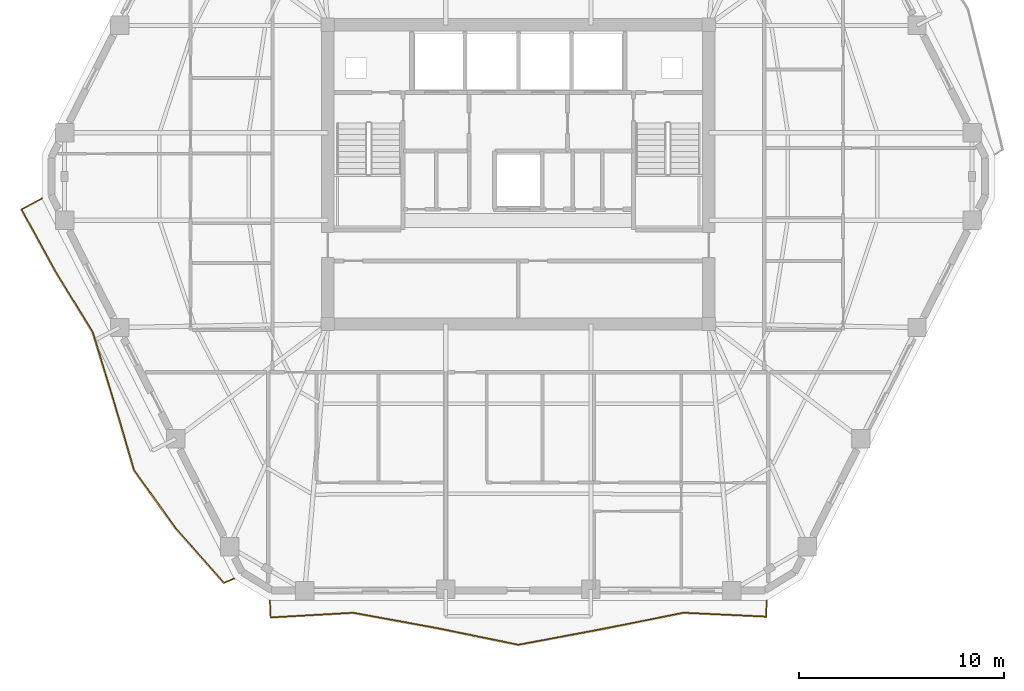
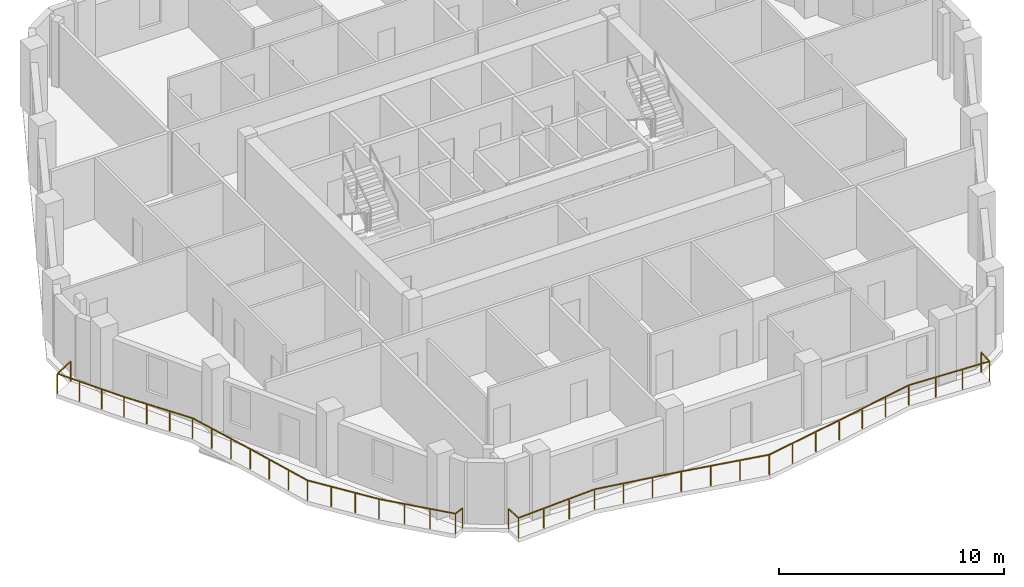
# One storey, part 9 of 11: 2 railings.
"""IFC4 building model written with IfcOpenShell, lengths in metres."""

from ifc_helpers import new_model, si_unit, direction, frame, origin, origin_2d, place, context, subcontext, project, spatial, rectangle, extrude, material, type_object, element, save


model = new_model("IFC4")

# Units and contexts
model_context = context("Model", 3, precision=1e-05, world=origin(), true_north=direction((0.0, 1.0)))
body_context = subcontext(model_context, "Body", "Model", "MODEL_VIEW")
ifc_project = project(units=[si_unit("LENGTHUNIT", "METRE"), si_unit("AREAUNIT", "SQUARE_METRE"), si_unit("VOLUMEUNIT", "CUBIC_METRE"), si_unit("PLANEANGLEUNIT", "RADIAN"), si_unit("MASSUNIT", "GRAM", prefix="KILO")], contexts=[model_context])

# Site, building, storey
site_placement = place(None, origin())
site = spatial("IfcSite", under=ifc_project, at=site_placement, CompositionType="ELEMENT")
building_placement = place(site_placement, origin())
building = spatial("IfcBuilding", under=site, at=building_placement, Name="Cinnabar Lancet Tower", CompositionType="ELEMENT")
storey_placement = place(building_placement, frame((0.0, 0.0, 179.0)))
storey = spatial("IfcBuildingStorey", under=building, at=storey_placement, Name="L47", CompositionType="ELEMENT", Elevation=179.0)

# Railings
ifc_material = material(Name="Laminated safety glass and bronze stainless steel balustrade", Category="steel")
railing_type = type_object("IfcRailingType", Name="ENV-RLG-BAL-1100", PredefinedType="BALUSTRADE", material=ifc_material)
railing_1_placement = place(storey_placement, frame((20.27197265625, 5.10009765625, 0.0)))
element("IfcRailing", 1, at=railing_1_placement, inside=storey, type_object=railing_type, Name="L47 Face 1 Wave Balcony Balustrade", PredefinedType="BALUSTRADE", context=body_context, shape_type="SweptSolid", body=[
    extrude(rectangle(XDim=0.048095703125, YDim=0.048095703125, at=origin_2d()), frame((0.0, 0.0, 1.076171875), z_axis=(0.041089529628, -0.999155468661, 0.0), x_axis=(0.999155468661, 0.041089529628, 0.0)), (0.0, 0.0, 1.0), 0.825927734375),
    extrude(rectangle(XDim=0.048095703125, YDim=0.048095703125, at=origin_2d()), frame((0.033935546875, -0.8251953125, 1.076171875), z_axis=(0.998392698824, 0.056674676319, 0.0), x_axis=(-0.056674676319, 0.998392698824, 0.0)), (0.0, 0.0, 1.0), 4.040771484375),
    extrude(rectangle(XDim=0.048095703125, YDim=0.048095703125, at=origin_2d()), frame((4.068115234375, -0.59619140625, 1.076171875), z_axis=(0.983778239301, -0.179388895638, 0.0), x_axis=(0.179388895638, 0.983778239301, 0.0)), (0.0, 0.0, 1.0), 4.096435546875),
    extrude(rectangle(XDim=0.048095703125, YDim=0.048095703125, at=origin_2d()), frame((8.09814453125, -1.3310546875, 1.076171875), z_axis=(0.979682609322, -0.20055419465, 0.0), x_axis=(0.20055419465, 0.979682609322, 0.0)), (0.0, 0.0, 1.0), 4.11328125),
    extrude(rectangle(XDim=0.048095703125, YDim=0.048095703125, at=origin_2d()), frame((12.1279296875, -2.156005859375, 1.076171875), z_axis=(0.982905201632, 0.184112369507, 0.0), x_axis=(-0.184112369507, 0.982905201632, 0.0)), (0.0, 0.0, 1.0), 4.10009765625),
    extrude(rectangle(XDim=0.048095703125, YDim=0.048095703125, at=origin_2d()), frame((16.157958984375, -1.401123046875, 1.076171875), z_axis=(0.98052809368, 0.196378862162, 0.0), x_axis=(-0.196378862162, 0.98052809368, 0.0)), (0.0, 0.0, 1.0), 4.110107421875),
    extrude(rectangle(XDim=0.048095703125, YDim=0.048095703125, at=origin_2d()), frame((20.18798828125, -0.593994140625, 1.076171875), z_axis=(0.998890457752, -0.04709409106, 0.0), x_axis=(0.04709409106, 0.998890457752, 0.0)), (0.0, 0.0, 1.0), 4.038330078125),
    extrude(rectangle(XDim=0.048095703125, YDim=0.048095703125, at=origin_2d()), frame((24.221923828125, -0.7841796875, 1.076171875), z_axis=(0.043545206746, 0.999051457618, 0.0), x_axis=(-0.999051457618, 0.043545206746, 0.0)), (0.0, 0.0, 1.0), 0.784912109375),
    extrude(rectangle(XDim=0.0419921875, YDim=0.0419921875, at=origin_2d()), origin(), (0.0, 0.0, 1.0), 1.052001953125),
    extrude(rectangle(XDim=0.0419921875, YDim=0.0419921875, at=origin_2d()), frame((0.033935546875, -0.8251953125, 0.0)), (0.0, 0.0, 1.0), 1.052001953125),
    extrude(rectangle(XDim=0.0419921875, YDim=0.0419921875, at=origin_2d()), frame((1.378662109375, -0.748779296875, 0.0)), (0.0, 0.0, 1.0), 1.052001953125),
    extrude(rectangle(XDim=0.0419921875, YDim=0.0419921875, at=origin_2d()), frame((2.723388671875, -0.672607421875, 0.0)), (0.0, 0.0, 1.0), 1.052001953125),
    extrude(rectangle(XDim=0.0419921875, YDim=0.0419921875, at=origin_2d()), frame((4.068115234375, -0.59619140625, 0.0)), (0.0, 0.0, 1.0), 1.052001953125),
    extrude(rectangle(XDim=0.0419921875, YDim=0.0419921875, at=origin_2d()), frame((5.411376953125, -0.841064453125, 0.0)), (0.0, 0.0, 1.0), 1.052001953125),
    extrude(rectangle(XDim=0.0419921875, YDim=0.0419921875, at=origin_2d()), frame((6.7548828125, -1.086181640625, 0.0)), (0.0, 0.0, 1.0), 1.052001953125),
    extrude(rectangle(XDim=0.0419921875, YDim=0.0419921875, at=origin_2d()), frame((8.09814453125, -1.3310546875, 0.0)), (0.0, 0.0, 1.0), 1.052001953125),
    extrude(rectangle(XDim=0.0419921875, YDim=0.0419921875, at=origin_2d()), frame((9.44140625, -1.60595703125, 0.0)), (0.0, 0.0, 1.0), 1.052001953125),
    extrude(rectangle(XDim=0.0419921875, YDim=0.0419921875, at=origin_2d()), frame((10.78466796875, -1.881103515625, 0.0)), (0.0, 0.0, 1.0), 1.052001953125),
    extrude(rectangle(XDim=0.0419921875, YDim=0.0419921875, at=origin_2d()), frame((12.1279296875, -2.156005859375, 0.0)), (0.0, 0.0, 1.0), 1.052001953125),
    extrude(rectangle(XDim=0.0419921875, YDim=0.0419921875, at=origin_2d()), frame((13.47119140625, -1.904296875, 0.0)), (0.0, 0.0, 1.0), 1.052001953125),
    extrude(rectangle(XDim=0.0419921875, YDim=0.0419921875, at=origin_2d()), frame((14.814697265625, -1.65283203125, 0.0)), (0.0, 0.0, 1.0), 1.052001953125),
    extrude(rectangle(XDim=0.0419921875, YDim=0.0419921875, at=origin_2d()), frame((16.157958984375, -1.401123046875, 0.0)), (0.0, 0.0, 1.0), 1.052001953125),
    extrude(rectangle(XDim=0.0419921875, YDim=0.0419921875, at=origin_2d()), frame((17.501220703125, -1.132080078125, 0.0)), (0.0, 0.0, 1.0), 1.052001953125),
    extrude(rectangle(XDim=0.0419921875, YDim=0.0419921875, at=origin_2d()), frame((18.8447265625, -0.863037109375, 0.0)), (0.0, 0.0, 1.0), 1.052001953125),
    extrude(rectangle(XDim=0.0419921875, YDim=0.0419921875, at=origin_2d()), frame((20.18798828125, -0.593994140625, 0.0)), (0.0, 0.0, 1.0), 1.052001953125),
    extrude(rectangle(XDim=0.0419921875, YDim=0.0419921875, at=origin_2d()), frame((21.53271484375, -0.657470703125, 0.0)), (0.0, 0.0, 1.0), 1.052001953125),
    extrude(rectangle(XDim=0.0419921875, YDim=0.0419921875, at=origin_2d()), frame((22.877197265625, -0.720703125, 0.0)), (0.0, 0.0, 1.0), 1.052001953125),
    extrude(rectangle(XDim=0.0419921875, YDim=0.0419921875, at=origin_2d()), frame((24.221923828125, -0.7841796875, 0.0)), (0.0, 0.0, 1.0), 1.052001953125),
    extrude(rectangle(XDim=0.0419921875, YDim=0.0419921875, at=origin_2d()), frame((24.256103515625, 0.0, 0.0)), (0.0, 0.0, 1.0), 1.052001953125),
])
railing_2_placement = place(storey_placement, frame((9.14208984375, 24.72900390625, 0.0)))
element("IfcRailing", 2, at=railing_2_placement, inside=storey, type_object=railing_type, Name="L47 Face 6 Wave Balcony Balustrade", PredefinedType="BALUSTRADE", context=body_context, shape_type="SweptSolid", body=[
    extrude(rectangle(XDim=0.048095703125, YDim=0.048095703125, at=origin_2d()), frame((0.0, 0.0, 1.076171875), z_axis=(-0.881338355054, -0.472485665296, 0.0), x_axis=(0.472485665296, -0.881338355054, 0.0)), (0.0, 0.0, 1.0), 1.1279296875),
    extrude(rectangle(XDim=0.048095703125, YDim=0.048095703125, at=origin_2d()), frame((-0.994140625, -0.532958984375, 1.076171875), z_axis=(0.480463272405, -0.877014848147, 0.0), x_axis=(0.877014848147, 0.480463272405, 0.0)), (0.0, 0.0, 1.0), 3.45947265625),
    extrude(rectangle(XDim=0.048095703125, YDim=0.048095703125, at=origin_2d()), frame((0.66796875, -3.56689453125, 1.076171875), z_axis=(0.523225371604, -0.852194350199, 0.0), x_axis=(0.852194350199, 0.523225371604, 0.0)), (0.0, 0.0, 1.0), 3.46875),
    extrude(rectangle(XDim=0.048095703125, YDim=0.048095703125, at=origin_2d()), frame((2.48291015625, -6.52294921875, 1.076171875), z_axis=(0.292965047262, -0.95612315163, 0.0), x_axis=(0.95612315163, 0.292965047262, 0.0)), (0.0, 0.0, 1.0), 3.505859375),
    extrude(rectangle(XDim=0.048095703125, YDim=0.048095703125, at=origin_2d()), frame((3.510009765625, -9.875, 1.076171875), z_axis=(0.28063981324, -0.959813156414, 0.0), x_axis=(0.959813156414, 0.28063981324, 0.0)), (0.0, 0.0, 1.0), 3.516357421875),
    extrude(rectangle(XDim=0.048095703125, YDim=0.048095703125, at=origin_2d()), frame((4.496826171875, -13.25, 1.076171875), z_axis=(0.58102675642, -0.813884456372, 0.0), x_axis=(0.813884456372, 0.58102675642, 0.0)), (0.0, 0.0, 1.0), 3.49560546875),
    extrude(rectangle(XDim=0.048095703125, YDim=0.048095703125, at=origin_2d()), frame((6.52783203125, -16.094970703125, 1.076171875), z_axis=(0.663600419454, -0.748087216373, 0.0), x_axis=(0.748087216373, 0.663600419454, 0.0)), (0.0, 0.0, 1.0), 3.574462890625),
    extrude(rectangle(XDim=0.048095703125, YDim=0.048095703125, at=origin_2d()), frame((8.89990234375, -18.76904296875, 1.076171875), z_axis=(0.917929361475, 0.396743856085, 0.0), x_axis=(-0.396743856085, 0.917929361475, 0.0)), (0.0, 0.0, 1.0), 0.53173828125),
    extrude(rectangle(XDim=0.0419921875, YDim=0.0419921875, at=origin_2d()), origin(), (0.0, 0.0, 1.0), 1.052001953125),
    extrude(rectangle(XDim=0.0419921875, YDim=0.0419921875, at=origin_2d()), frame((-0.994140625, -0.532958984375, 0.0)), (0.0, 0.0, 1.0), 1.052001953125),
    extrude(rectangle(XDim=0.0419921875, YDim=0.0419921875, at=origin_2d()), frame((-0.440185546875, -1.544189453125, 0.0)), (0.0, 0.0, 1.0), 1.052001953125),
    extrude(rectangle(XDim=0.0419921875, YDim=0.0419921875, at=origin_2d()), frame((0.114013671875, -2.5556640625, 0.0)), (0.0, 0.0, 1.0), 1.052001953125),
    extrude(rectangle(XDim=0.0419921875, YDim=0.0419921875, at=origin_2d()), frame((0.66796875, -3.56689453125, 0.0)), (0.0, 0.0, 1.0), 1.052001953125),
    extrude(rectangle(XDim=0.0419921875, YDim=0.0419921875, at=origin_2d()), frame((1.27294921875, -4.55224609375, 0.0)), (0.0, 0.0, 1.0), 1.052001953125),
    extrude(rectangle(XDim=0.0419921875, YDim=0.0419921875, at=origin_2d()), frame((1.8779296875, -5.53759765625, 0.0)), (0.0, 0.0, 1.0), 1.052001953125),
    extrude(rectangle(XDim=0.0419921875, YDim=0.0419921875, at=origin_2d()), frame((2.48291015625, -6.52294921875, 0.0)), (0.0, 0.0, 1.0), 1.052001953125),
    extrude(rectangle(XDim=0.0419921875, YDim=0.0419921875, at=origin_2d()), frame((2.8251953125, -7.640380859375, 0.0)), (0.0, 0.0, 1.0), 1.052001953125),
    extrude(rectangle(XDim=0.0419921875, YDim=0.0419921875, at=origin_2d()), frame((3.167724609375, -8.757568359375, 0.0)), (0.0, 0.0, 1.0), 1.052001953125),
    extrude(rectangle(XDim=0.0419921875, YDim=0.0419921875, at=origin_2d()), frame((3.510009765625, -9.875, 0.0)), (0.0, 0.0, 1.0), 1.052001953125),
    extrude(rectangle(XDim=0.0419921875, YDim=0.0419921875, at=origin_2d()), frame((3.8388671875, -11.0, 0.0)), (0.0, 0.0, 1.0), 1.052001953125),
    extrude(rectangle(XDim=0.0419921875, YDim=0.0419921875, at=origin_2d()), frame((4.16796875, -12.125, 0.0)), (0.0, 0.0, 1.0), 1.052001953125),
    extrude(rectangle(XDim=0.0419921875, YDim=0.0419921875, at=origin_2d()), frame((4.496826171875, -13.25, 0.0)), (0.0, 0.0, 1.0), 1.052001953125),
    extrude(rectangle(XDim=0.0419921875, YDim=0.0419921875, at=origin_2d()), frame((5.173828125, -14.1982421875, 0.0)), (0.0, 0.0, 1.0), 1.052001953125),
    extrude(rectangle(XDim=0.0419921875, YDim=0.0419921875, at=origin_2d()), frame((5.850830078125, -15.146728515625, 0.0)), (0.0, 0.0, 1.0), 1.052001953125),
    extrude(rectangle(XDim=0.0419921875, YDim=0.0419921875, at=origin_2d()), frame((6.52783203125, -16.094970703125, 0.0)), (0.0, 0.0, 1.0), 1.052001953125),
    extrude(rectangle(XDim=0.0419921875, YDim=0.0419921875, at=origin_2d()), frame((7.318603515625, -16.986328125, 0.0)), (0.0, 0.0, 1.0), 1.052001953125),
    extrude(rectangle(XDim=0.0419921875, YDim=0.0419921875, at=origin_2d()), frame((8.109130859375, -17.877685546875, 0.0)), (0.0, 0.0, 1.0), 1.052001953125),
    extrude(rectangle(XDim=0.0419921875, YDim=0.0419921875, at=origin_2d()), frame((8.89990234375, -18.76904296875, 0.0)), (0.0, 0.0, 1.0), 1.052001953125),
    extrude(rectangle(XDim=0.0419921875, YDim=0.0419921875, at=origin_2d()), frame((9.387939453125, -18.55810546875, 0.0)), (0.0, 0.0, 1.0), 1.052001953125),
])

save(model, "model.ifc")
